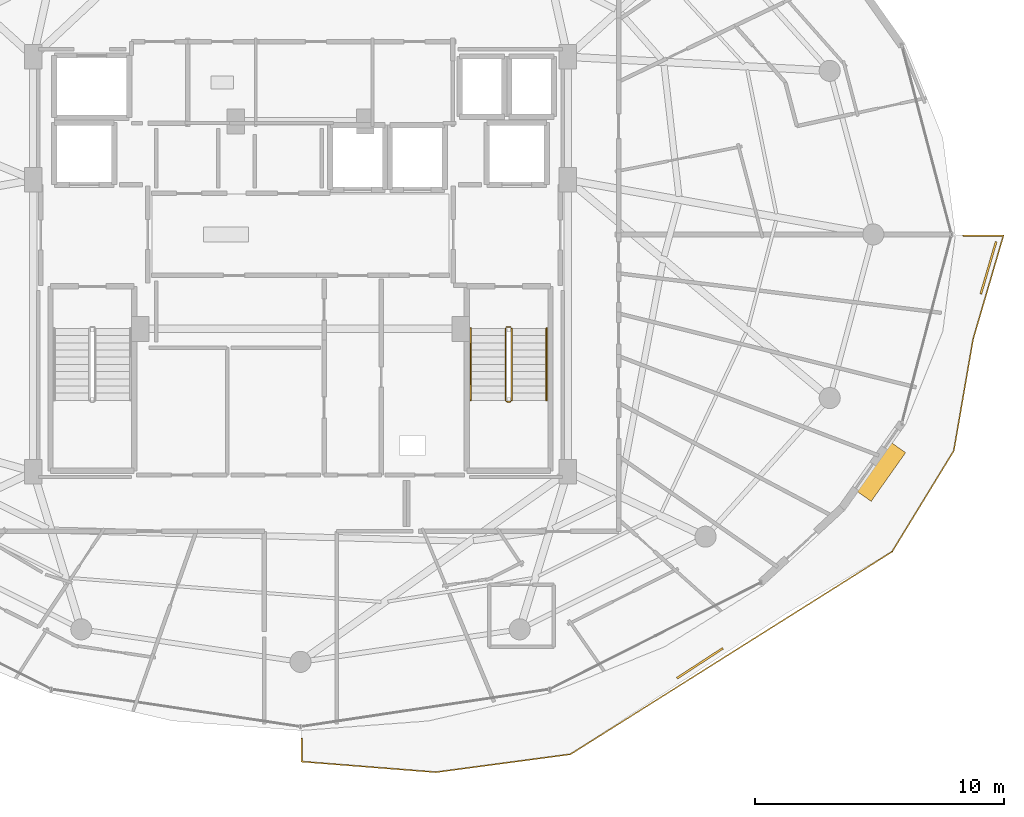
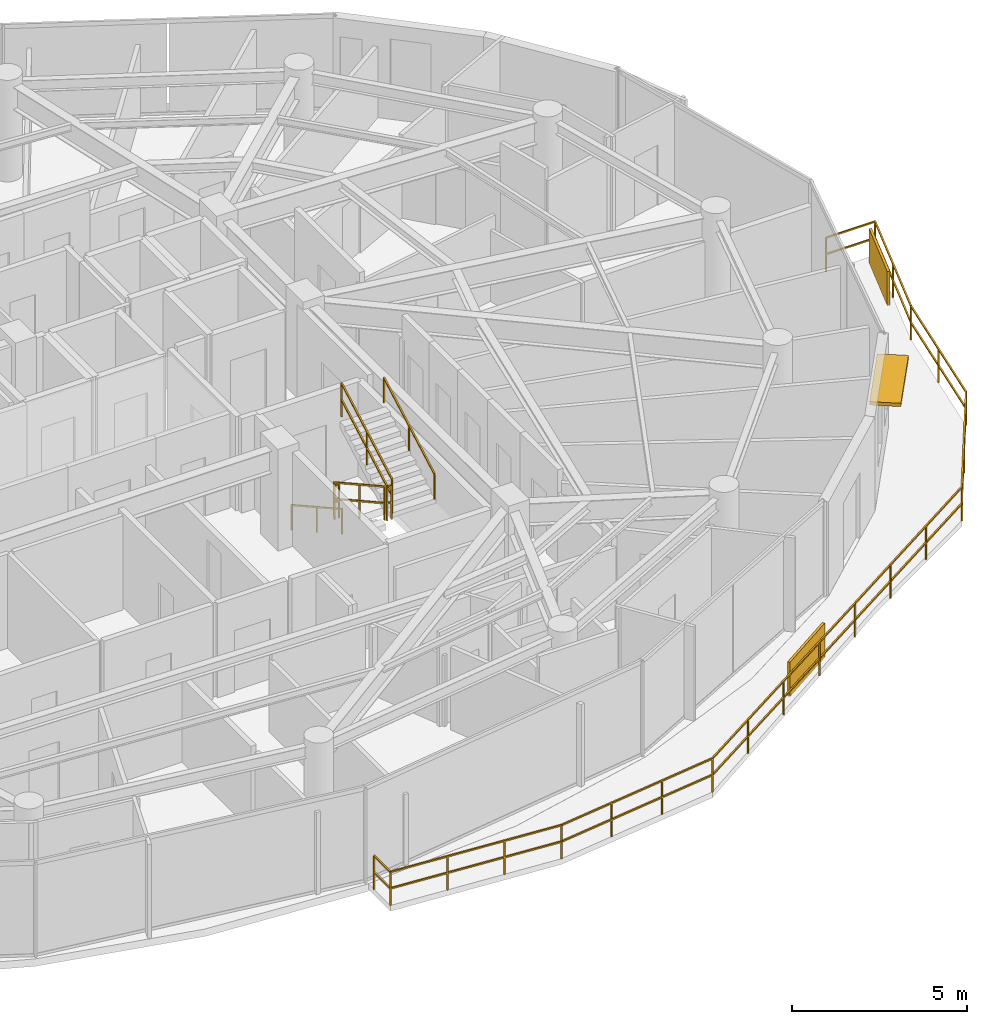
# One storey, part 27 of 29: 8 railings, 3 shading devices.
"""IFC4 building model written with IfcOpenShell, lengths in metres."""

from ifc_helpers import new_model, si_unit, direction, frame, origin, origin_2d, place, context, subcontext, project, spatial, rectangle, extrude, material, type_object, element, save


model = new_model("IFC4")

# Units and contexts
model_context = context("Model", 3, precision=1e-05, world=origin(), true_north=direction((0.0, 1.0)))
body_context = subcontext(model_context, "Body", "Model", "MODEL_VIEW")
ifc_project = project(units=[si_unit("LENGTHUNIT", "METRE"), si_unit("AREAUNIT", "SQUARE_METRE"), si_unit("VOLUMEUNIT", "CUBIC_METRE"), si_unit("PLANEANGLEUNIT", "RADIAN"), si_unit("MASSUNIT", "GRAM", prefix="KILO")], contexts=[model_context])

# Site, building, storey
site_placement = place(None, origin())
site = spatial("IfcSite", under=ifc_project, at=site_placement, CompositionType="ELEMENT")
building_placement = place(site_placement, origin())
building = spatial("IfcBuilding", under=site, at=building_placement, Name="Vorneva Point Tower", CompositionType="ELEMENT")
storey_placement = place(building_placement, frame((0.0, 0.0, 259.10009765625)))
storey = spatial("IfcBuildingStorey", under=building, at=storey_placement, Name="L70", CompositionType="ELEMENT", Elevation=259.10009765625)

# Railings
ifc_material_1 = material(Name="Pale anodised aluminium", Category="aluminium")
railing_type_1 = type_object("IfcRailingType", Name="RL-BAL-1200", PredefinedType="BALUSTRADE", material=ifc_material_1)
railing_1_placement = place(storey_placement, frame((65.065673828125, 21.78515625, 0.0)))
element("IfcRailing", 1, at=railing_1_placement, inside=storey, type_object=railing_type_1, Name="L70 Wave Balcony Balustrade SE.1", PredefinedType="BALUSTRADE", context=body_context, shape_type="SweptSolid", body=[
    extrude(rectangle(XDim=0.048095703125, YDim=0.048095703125, at=origin_2d()), frame((0.0, 0.0, 1.17578125), z_axis=(0.281060523151, 0.959690044924, 0.0), x_axis=(-0.959690044924, 0.281060523151, 0.0)), (0.0, 0.0, 1.0), 4.33984375),
    extrude(rectangle(XDim=0.048095703125, YDim=0.048095703125, at=origin_2d()), frame((0.0, 0.0, 0.60009765625), z_axis=(0.281060523151, 0.959690044924, 0.0), x_axis=(-0.959690044924, 0.281060523151, 0.0)), (0.0, 0.0, 1.0), 4.33984375),
    extrude(rectangle(XDim=0.048095703125, YDim=0.048095703125, at=origin_2d()), frame((1.2197265625, 4.164794921875, 1.17578125), z_axis=(-1.0, 0.0, 0.0), x_axis=(0.0, -1.0, 0.0)), (0.0, 0.0, 1.0), 1.619140625),
    extrude(rectangle(XDim=0.048095703125, YDim=0.048095703125, at=origin_2d()), frame((1.2197265625, 4.164794921875, 0.60009765625), z_axis=(-1.0, 0.0, 0.0), x_axis=(0.0, -1.0, 0.0)), (0.0, 0.0, 1.0), 1.619140625),
    extrude(rectangle(XDim=0.0419921875, YDim=0.0419921875, at=origin_2d()), origin(), (0.0, 0.0, 1.0), 1.15185546875),
    extrude(rectangle(XDim=0.0419921875, YDim=0.0419921875, at=origin_2d()), frame((0.60986328125, 2.08251953125, 0.0)), (0.0, 0.0, 1.0), 1.15185546875),
    extrude(rectangle(XDim=0.0419921875, YDim=0.0419921875, at=origin_2d()), frame((1.2197265625, 4.164794921875, 0.0)), (0.0, 0.0, 1.0), 1.15185546875),
    extrude(rectangle(XDim=0.0419921875, YDim=0.0419921875, at=origin_2d()), frame((-0.3994140625, 4.164794921875, 0.0)), (0.0, 0.0, 1.0), 1.15185546875),
])
railing_2_placement = place(storey_placement, frame((38.050048828125, 5.722900390625, 0.0)))
element("IfcRailing", 2, at=railing_2_placement, inside=storey, type_object=railing_type_1, Name="L70 Wave Balcony Balustrade SE.2", PredefinedType="BALUSTRADE", context=body_context, shape_type="SweptSolid", body=[
    extrude(rectangle(XDim=0.048095703125, YDim=0.048095703125, at=origin_2d()), frame((0.0, 0.0, 1.17578125), z_axis=(0.0, -1.0, 0.0), x_axis=(1.0, 0.0, 0.0)), (0.0, 0.0, 1.0), 0.936767578125),
    extrude(rectangle(XDim=0.048095703125, YDim=0.048095703125, at=origin_2d()), frame((0.0, 0.0, 0.60009765625), z_axis=(0.0, -1.0, 0.0), x_axis=(1.0, 0.0, 0.0)), (0.0, 0.0, 1.0), 0.936767578125),
    extrude(rectangle(XDim=0.048095703125, YDim=0.048095703125, at=origin_2d()), frame((0.0, -0.936767578125, 1.17578125), z_axis=(0.996907445198, -0.07858464041, 0.0), x_axis=(0.07858464041, 0.996907445198, 0.0)), (0.0, 0.0, 1.0), 5.418212890625),
    extrude(rectangle(XDim=0.048095703125, YDim=0.048095703125, at=origin_2d()), frame((0.0, -0.936767578125, 0.60009765625), z_axis=(0.996907445198, -0.07858464041, 0.0), x_axis=(0.07858464041, 0.996907445198, 0.0)), (0.0, 0.0, 1.0), 5.418212890625),
    extrude(rectangle(XDim=0.048095703125, YDim=0.048095703125, at=origin_2d()), frame((5.4013671875, -1.362548828125, 1.17578125), z_axis=(0.991224384092, 0.13219009184, 0.0), x_axis=(-0.13219009184, 0.991224384092, 0.0)), (0.0, 0.0, 1.0), 5.45751953125),
    extrude(rectangle(XDim=0.048095703125, YDim=0.048095703125, at=origin_2d()), frame((5.4013671875, -1.362548828125, 0.60009765625), z_axis=(0.991224384092, 0.13219009184, 0.0), x_axis=(-0.13219009184, 0.991224384092, 0.0)), (0.0, 0.0, 1.0), 5.45751953125),
    extrude(rectangle(XDim=0.048095703125, YDim=0.048095703125, at=origin_2d()), frame((10.81103515625, -0.64111328125, 1.17578125), z_axis=(0.8461672852, 0.532917372073, 0.0), x_axis=(-0.532917372073, 0.8461672852, 0.0)), (0.0, 0.0, 1.0), 15.30078125),
    extrude(rectangle(XDim=0.048095703125, YDim=0.048095703125, at=origin_2d()), frame((10.81103515625, -0.64111328125, 0.60009765625), z_axis=(0.8461672852, 0.532917372073, 0.0), x_axis=(-0.532917372073, 0.8461672852, 0.0)), (0.0, 0.0, 1.0), 15.30078125),
    extrude(rectangle(XDim=0.048095703125, YDim=0.048095703125, at=origin_2d()), frame((23.758056640625, 7.512939453125, 1.17578125), z_axis=(0.52144793487, 0.85328310145, 0.0), x_axis=(-0.85328310145, 0.52144793487, 0.0)), (0.0, 0.0, 1.0), 4.76025390625),
    extrude(rectangle(XDim=0.048095703125, YDim=0.048095703125, at=origin_2d()), frame((23.758056640625, 7.512939453125, 0.60009765625), z_axis=(0.52144793487, 0.85328310145, 0.0), x_axis=(-0.85328310145, 0.52144793487, 0.0)), (0.0, 0.0, 1.0), 4.76025390625),
    extrude(rectangle(XDim=0.048095703125, YDim=0.048095703125, at=origin_2d()), frame((26.240234375, 11.57470703125, 1.17578125), z_axis=(0.170264158376, 0.985398455637, 0.0), x_axis=(-0.985398455637, 0.170264158376, 0.0)), (0.0, 0.0, 1.0), 4.553955078125),
    extrude(rectangle(XDim=0.048095703125, YDim=0.048095703125, at=origin_2d()), frame((26.240234375, 11.57470703125, 0.60009765625), z_axis=(0.170264158376, 0.985398455637, 0.0), x_axis=(-0.985398455637, 0.170264158376, 0.0)), (0.0, 0.0, 1.0), 4.553955078125),
    extrude(rectangle(XDim=0.0419921875, YDim=0.0419921875, at=origin_2d()), origin(), (0.0, 0.0, 1.0), 1.15185546875),
    extrude(rectangle(XDim=0.0419921875, YDim=0.0419921875, at=origin_2d()), frame((0.0, -0.936767578125, 0.0)), (0.0, 0.0, 1.0), 1.15185546875),
    extrude(rectangle(XDim=0.0419921875, YDim=0.0419921875, at=origin_2d()), frame((1.800537109375, -1.07861328125, 0.0)), (0.0, 0.0, 1.0), 1.15185546875),
    extrude(rectangle(XDim=0.0419921875, YDim=0.0419921875, at=origin_2d()), frame((3.600830078125, -1.220703125, 0.0)), (0.0, 0.0, 1.0), 1.15185546875),
    extrude(rectangle(XDim=0.0419921875, YDim=0.0419921875, at=origin_2d()), frame((5.4013671875, -1.362548828125, 0.0)), (0.0, 0.0, 1.0), 1.15185546875),
    extrude(rectangle(XDim=0.0419921875, YDim=0.0419921875, at=origin_2d()), frame((7.20458984375, -1.1220703125, 0.0)), (0.0, 0.0, 1.0), 1.15185546875),
    extrude(rectangle(XDim=0.0419921875, YDim=0.0419921875, at=origin_2d()), frame((9.0078125, -0.881591796875, 0.0)), (0.0, 0.0, 1.0), 1.15185546875),
    extrude(rectangle(XDim=0.0419921875, YDim=0.0419921875, at=origin_2d()), frame((10.81103515625, -0.64111328125, 0.0)), (0.0, 0.0, 1.0), 1.15185546875),
    extrude(rectangle(XDim=0.0419921875, YDim=0.0419921875, at=origin_2d()), frame((12.66064453125, 0.523681640625, 0.0)), (0.0, 0.0, 1.0), 1.15185546875),
    extrude(rectangle(XDim=0.0419921875, YDim=0.0419921875, at=origin_2d()), frame((14.51025390625, 1.688720703125, 0.0)), (0.0, 0.0, 1.0), 1.15185546875),
    extrude(rectangle(XDim=0.0419921875, YDim=0.0419921875, at=origin_2d()), frame((16.35986328125, 2.853515625, 0.0)), (0.0, 0.0, 1.0), 1.15185546875),
    extrude(rectangle(XDim=0.0419921875, YDim=0.0419921875, at=origin_2d()), frame((18.209228515625, 4.018310546875, 0.0)), (0.0, 0.0, 1.0), 1.15185546875),
    extrude(rectangle(XDim=0.0419921875, YDim=0.0419921875, at=origin_2d()), frame((20.058837890625, 5.18310546875, 0.0)), (0.0, 0.0, 1.0), 1.15185546875),
    extrude(rectangle(XDim=0.0419921875, YDim=0.0419921875, at=origin_2d()), frame((21.908447265625, 6.34814453125, 0.0)), (0.0, 0.0, 1.0), 1.15185546875),
    extrude(rectangle(XDim=0.0419921875, YDim=0.0419921875, at=origin_2d()), frame((23.758056640625, 7.512939453125, 0.0)), (0.0, 0.0, 1.0), 1.15185546875),
    extrude(rectangle(XDim=0.0419921875, YDim=0.0419921875, at=origin_2d()), frame((24.9990234375, 9.5439453125, 0.0)), (0.0, 0.0, 1.0), 1.15185546875),
    extrude(rectangle(XDim=0.0419921875, YDim=0.0419921875, at=origin_2d()), frame((26.240234375, 11.57470703125, 0.0)), (0.0, 0.0, 1.0), 1.15185546875),
    extrude(rectangle(XDim=0.0419921875, YDim=0.0419921875, at=origin_2d()), frame((26.6279296875, 13.818359375, 0.0)), (0.0, 0.0, 1.0), 1.15185546875),
    extrude(rectangle(XDim=0.0419921875, YDim=0.0419921875, at=origin_2d()), frame((27.015625, 16.062255859375, 0.0)), (0.0, 0.0, 1.0), 1.15185546875),
])
ifc_material_2 = material(Name="Brushed stainless steel S304", Category="steel")
railing_type_2 = type_object("IfcRailingType", Name="RL-HND-920", PredefinedType="HANDRAIL", material=ifc_material_2)
railing_3_placement = place(storey_placement, frame((44.85009765625, 22.219970703125, 0.161376953125)))
element("IfcRailing", 3, at=railing_3_placement, inside=storey, type_object=railing_type_2, Name="L70 ST2 stair handrail 1", PredefinedType="HANDRAIL", context=body_context, shape_type="SweptSolid", body=[
    extrude(rectangle(XDim=0.048095703125, YDim=0.048095703125, at=origin_2d()), frame((0.0, 0.0, 0.8759765625), z_axis=(0.0, -0.873841303929, 0.486211245805), x_axis=(1.0, 0.0, 0.0)), (0.0, 0.0, 1.0), 3.318603515625),
    extrude(rectangle(XDim=0.0419921875, YDim=0.0419921875, at=origin_2d()), origin(), (0.0, 0.0, 1.0), 0.851806640625),
    extrude(rectangle(XDim=0.0419921875, YDim=0.0419921875, at=origin_2d()), frame((0.0, -1.449951171875, 0.806640625)), (0.0, 0.0, 1.0), 0.851806640625),
    extrude(rectangle(XDim=0.0419921875, YDim=0.0419921875, at=origin_2d()), frame((0.0, -2.89990234375, 1.613525390625)), (0.0, 0.0, 1.0), 0.851806640625),
])
railing_4_placement = place(storey_placement, frame((47.89990234375, 19.320068359375, 1.936279296875)))
element("IfcRailing", 4, at=railing_4_placement, inside=storey, type_object=railing_type_2, Name="L70 ST2 stair handrail 2", PredefinedType="HANDRAIL", context=body_context, shape_type="SweptSolid", body=[
    extrude(rectangle(XDim=0.048095703125, YDim=0.048095703125, at=origin_2d()), frame((0.0, 0.0, 0.8759765625), z_axis=(0.0, 0.873841303929, 0.486211245805), x_axis=(-1.0, 0.0, 0.0)), (0.0, 0.0, 1.0), 3.318603515625),
    extrude(rectangle(XDim=0.0419921875, YDim=0.0419921875, at=origin_2d()), origin(), (0.0, 0.0, 1.0), 0.851806640625),
    extrude(rectangle(XDim=0.0419921875, YDim=0.0419921875, at=origin_2d()), frame((0.0, 1.449951171875, 0.806640625)), (0.0, 0.0, 1.0), 0.851806640625),
    extrude(rectangle(XDim=0.0419921875, YDim=0.0419921875, at=origin_2d()), frame((0.0, 2.89990234375, 1.613525390625)), (0.0, 0.0, 1.0), 0.851806640625),
])
railing_type_3 = type_object("IfcRailingType", Name="RL-STG-1100", PredefinedType="GUARDRAIL", material=ifc_material_2)
railing_5_placement = place(storey_placement, frame((46.25, 22.219970703125, 0.161376953125)))
element("IfcRailing", 5, at=railing_5_placement, inside=storey, type_object=railing_type_3, Name="L70 ST2 stair guard 1", PredefinedType="GUARDRAIL", context=body_context, shape_type="SweptSolid", body=[
    extrude(rectangle(XDim=0.048095703125, YDim=0.048095703125, at=origin_2d()), frame((0.0, 0.0, 1.17578125), z_axis=(0.0, -0.873841303929, 0.486211245805), x_axis=(1.0, 0.0, 0.0)), (0.0, 0.0, 1.0), 3.318603515625),
    extrude(rectangle(XDim=0.048095703125, YDim=0.048095703125, at=origin_2d()), frame((0.0, 0.0, 0.60009765625), z_axis=(0.0, -0.873841303929, 0.486211245805), x_axis=(1.0, 0.0, 0.0)), (0.0, 0.0, 1.0), 3.318603515625),
    extrude(rectangle(XDim=0.0419921875, YDim=0.0419921875, at=origin_2d()), origin(), (0.0, 0.0, 1.0), 1.15185546875),
    extrude(rectangle(XDim=0.0419921875, YDim=0.0419921875, at=origin_2d()), frame((0.0, -1.449951171875, 0.806640625)), (0.0, 0.0, 1.0), 1.15185546875),
    extrude(rectangle(XDim=0.0419921875, YDim=0.0419921875, at=origin_2d()), frame((0.0, -2.89990234375, 1.613525390625)), (0.0, 0.0, 1.0), 1.15185546875),
])
railing_6_placement = place(storey_placement, frame((46.300048828125, 19.27001953125, 1.77490234375)))
element("IfcRailing", 6, at=railing_6_placement, inside=storey, type_object=railing_type_3, Name="L70 ST2 stair guard 2", PredefinedType="GUARDRAIL", context=body_context, shape_type="SweptSolid", body=[
    extrude(rectangle(XDim=0.048095703125, YDim=0.048095703125, at=origin_2d()), frame((0.0, 0.0, 1.17578125), z_axis=(1.0, 0.0, 0.0), x_axis=(0.0, 1.0, 0.0)), (0.0, 0.0, 1.0), 0.14990234375),
    extrude(rectangle(XDim=0.048095703125, YDim=0.048095703125, at=origin_2d()), frame((0.0, 0.0, 0.60009765625), z_axis=(1.0, 0.0, 0.0), x_axis=(0.0, 1.0, 0.0)), (0.0, 0.0, 1.0), 0.14990234375),
    extrude(rectangle(XDim=0.0419921875, YDim=0.0419921875, at=origin_2d()), origin(), (0.0, 0.0, 1.0), 1.15185546875),
    extrude(rectangle(XDim=0.0419921875, YDim=0.0419921875, at=origin_2d()), frame((0.14990234375, 0.0, 0.0)), (0.0, 0.0, 1.0), 1.15185546875),
])
railing_7_placement = place(storey_placement, frame((46.5, 19.320068359375, 1.936279296875)))
element("IfcRailing", 7, at=railing_7_placement, inside=storey, type_object=railing_type_3, Name="L70 ST2 stair guard 3", PredefinedType="GUARDRAIL", context=body_context, shape_type="SweptSolid", body=[
    extrude(rectangle(XDim=0.048095703125, YDim=0.048095703125, at=origin_2d()), frame((0.0, 0.0, 1.17578125), z_axis=(0.0, 0.873841303929, 0.486211245805), x_axis=(-1.0, 0.0, 0.0)), (0.0, 0.0, 1.0), 3.318603515625),
    extrude(rectangle(XDim=0.048095703125, YDim=0.048095703125, at=origin_2d()), frame((0.0, 0.0, 0.60009765625), z_axis=(0.0, 0.873841303929, 0.486211245805), x_axis=(-1.0, 0.0, 0.0)), (0.0, 0.0, 1.0), 3.318603515625),
    extrude(rectangle(XDim=0.0419921875, YDim=0.0419921875, at=origin_2d()), origin(), (0.0, 0.0, 1.0), 1.15185546875),
    extrude(rectangle(XDim=0.0419921875, YDim=0.0419921875, at=origin_2d()), frame((0.0, 1.449951171875, 0.806640625)), (0.0, 0.0, 1.0), 1.15185546875),
    extrude(rectangle(XDim=0.0419921875, YDim=0.0419921875, at=origin_2d()), frame((0.0, 2.89990234375, 1.613525390625)), (0.0, 0.0, 1.0), 1.15185546875),
])
railing_8_placement = place(storey_placement, frame((46.300048828125, 22.27001953125, 0.0)))
element("IfcRailing", 8, at=railing_8_placement, inside=storey, type_object=railing_type_3, Name="L70 ST2 stair guard 4", PredefinedType="GUARDRAIL", context=body_context, shape_type="SweptSolid", body=[
    extrude(rectangle(XDim=0.048095703125, YDim=0.048095703125, at=origin_2d()), frame((0.0, 0.0, 1.17578125), z_axis=(1.0, 0.0, 0.0), x_axis=(0.0, 1.0, 0.0)), (0.0, 0.0, 1.0), 0.14990234375),
    extrude(rectangle(XDim=0.048095703125, YDim=0.048095703125, at=origin_2d()), frame((0.0, 0.0, 0.60009765625), z_axis=(1.0, 0.0, 0.0), x_axis=(0.0, 1.0, 0.0)), (0.0, 0.0, 1.0), 0.14990234375),
    extrude(rectangle(XDim=0.0419921875, YDim=0.0419921875, at=origin_2d()), origin(), (0.0, 0.0, 1.0), 1.15185546875),
    extrude(rectangle(XDim=0.0419921875, YDim=0.0419921875, at=origin_2d()), frame((0.14990234375, 0.0, 0.0)), (0.0, 0.0, 1.0), 1.15185546875),
])

# Shading devices
shading_device_type_1 = type_object("IfcShadingDeviceType", Name="SHD-AWN-900", PredefinedType="AWNING", material=ifc_material_1)
shading_device_placement = place(storey_placement, frame((61.2890625, 16.498779296875, 3.0498046875), z_axis=(0.0, 0.0, 1.0), x_axis=(0.577259209083, 0.816560962531, 0.0)))
element("IfcShadingDevice", 9, at=shading_device_placement, inside=storey, type_object=shading_device_type_1, Name="L70 Pale-Aluminium Brise-Soleil Awning 15", PredefinedType="AWNING", context=body_context, shape_type="SweptSolid", body=[
    extrude(rectangle(XDim=2.39990234375, YDim=0.89990234375, at=origin_2d()), origin(), (0.0, 0.0, 1.0), 0.1201171875),
])
shading_device_type_2 = type_object("IfcShadingDeviceType", Name="SHD-JAL-1200", PredefinedType="JALOUSIE", material=ifc_material_1)
for number, where, z_axis, x_axis, name in (
    (10, (65.683349609375, 24.6552734375, -0.02001953125), (0.0, 0.0, 1.0), (0.281051976835, 0.959692547808, 0.0), "L70 Balcony Vertical-Greenery Planter Screen SE.1"),
    (11, (54.072265625, 8.744140625, -0.02001953125), (0.0, 0.0, 1.0), (0.837794958672, 0.545984988093, 0.0), "L70 Balcony Vertical-Greenery Planter Screen SE.2"),
):
    element("IfcShadingDevice", number, at=place(storey_placement, frame(where, z_axis=z_axis, x_axis=x_axis)), inside=storey, type_object=shading_device_type_2, Name=name, PredefinedType="JALOUSIE", context=body_context, shape_type="SweptSolid", body=[
        extrude(rectangle(XDim=2.199951171875, YDim=0.080078125, at=origin_2d()), origin(), (0.0, 0.0, 1.0), 1.199951171875),
    ])

save(model, "model.ifc")
